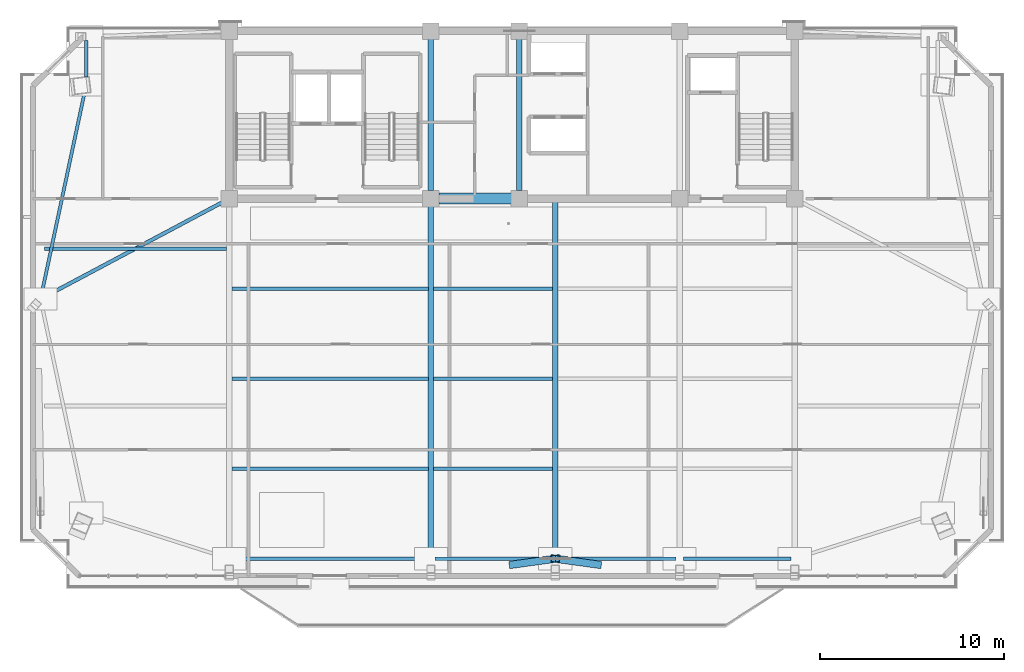
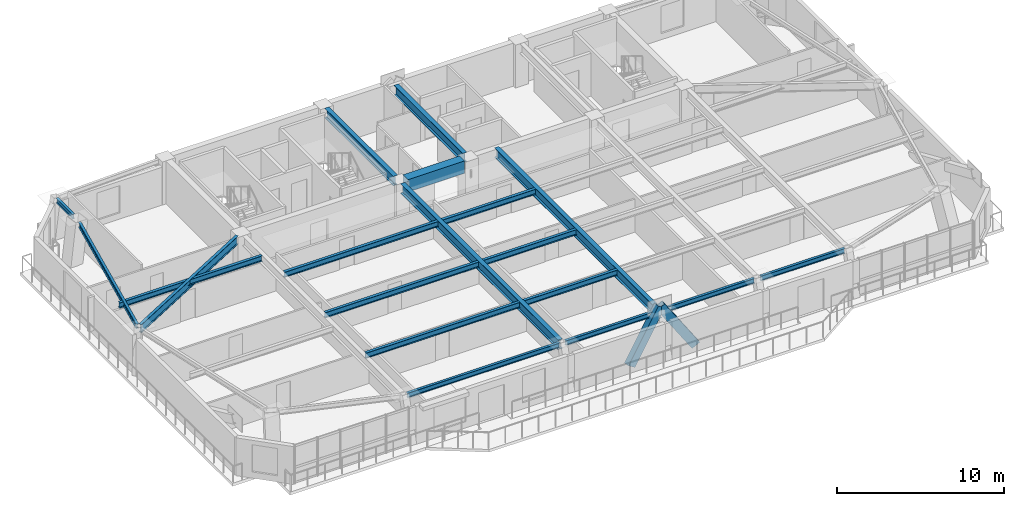
# One storey, part 3 of 15: 19 beams, 2 members.
"""IFC4 building model written with IfcOpenShell, lengths in metres."""

from ifc_helpers import new_model, si_unit, direction, frame, origin, origin_2d, place, context, subcontext, project, spatial, rectangle, hollow_rectangle, i_section, extrude, source, transform, mapped, material, material_profile, profile_set, type_object, element, save


model = new_model("IFC4")

# Units and contexts
model_context = context("Model", 3, precision=1e-05, world=origin(), true_north=direction((0.0, 1.0)))
body_context = subcontext(model_context, "Body", "Model", "MODEL_VIEW")
ifc_project = project(units=[si_unit("LENGTHUNIT", "METRE"), si_unit("AREAUNIT", "SQUARE_METRE"), si_unit("VOLUMEUNIT", "CUBIC_METRE"), si_unit("PLANEANGLEUNIT", "RADIAN"), si_unit("MASSUNIT", "GRAM", prefix="KILO")], contexts=[model_context])

# Site, building, storey
site_placement = place(None, origin())
site = spatial("IfcSite", under=ifc_project, at=site_placement, CompositionType="ELEMENT")
building_placement = place(site_placement, origin())
building = spatial("IfcBuilding", under=site, at=building_placement, Name="Giltprow Tower", CompositionType="ELEMENT")
storey_placement = place(building_placement, frame((0.0, 0.0, 275.699951171875)))
storey = spatial("IfcBuildingStorey", under=building, at=storey_placement, Name="L71", CompositionType="ELEMENT", Elevation=275.699951171875)

# Beams
ifc_material_1 = material(Name="Structural steel Q355B", Category="steel")
ifc_material_profile_1 = material_profile(ifc_material_1, i_section(OverallWidth=0.199951171875, OverallDepth=0.39990234375, WebThickness=0.008056640625, FlangeThickness=0.012939453125, at=origin_2d()), Name="HN 400x200x8x13")
ifc_profile_set_1 = profile_set([ifc_material_profile_1], Name="Structural steel Q355B")
beam_type_1 = type_object("IfcBeamType", Name="BM-JOIST-HN400", PredefinedType="JOIST", material=ifc_profile_set_1)
shared_shape_1 = source(origin(), body_context, "Body", "SweptSolid", [
    extrude(i_section(OverallWidth=0.199951171875, OverallDepth=0.39990234375, WebThickness=0.008056640625, FlangeThickness=0.012939453125, at=origin_2d()), origin(), (0.0, 0.0, 1.0), 10.659912109375),
])
for number, where, z_axis, x_axis, name in (
    (1, (19.9951171875, 22.7939453125, 2.93994140625), (1.0, 0.0, 0.0), (0.0, 1.0, 0.0), "L71 Composite Floor Joist 1-1"),
    (2, (19.9951171875, 27.678955078125, 2.93994140625), (1.0, 0.0, 0.0), (0.0, 1.0, 0.0), "L71 Composite Floor Joist 2-1"),
    (3, (19.9951171875, 32.56494140625, 2.93994140625), (1.0, 0.0, 0.0), (0.0, 1.0, 0.0), "L71 Composite Floor Joist 3-1"),
):
    element("IfcBeam", number, at=place(storey_placement, frame(where, z_axis=z_axis, x_axis=x_axis)), inside=storey, type_object=beam_type_1, Name=name, PredefinedType="JOIST", context=body_context, shape_type="MappedRepresentation", body=[
        mapped(shared_shape_1, transform((0.0, 0.0, 0.0), x_axis=(1.0, 0.0, 0.0), y_axis=(0.0, 1.0, 0.0), z_axis=(0.0, 0.0, 1.0), scale=1.0)),
    ])
shared_shape_2 = source(origin(), body_context, "Body", "SweptSolid", [
    extrude(i_section(OverallWidth=0.199951171875, OverallDepth=0.39990234375, WebThickness=0.008056640625, FlangeThickness=0.012939453125, at=origin_2d()), origin(), (0.0, 0.0, 1.0), 6.4599609375),
])
for number, where, z_axis, x_axis, name in (
    (4, (30.945068359375, 22.7939453125, 2.93994140625), (1.0, 0.0, 0.0), (0.0, 1.0, 0.0), "L71 Composite Floor Joist 1-2"),
    (5, (30.945068359375, 27.678955078125, 2.93994140625), (1.0, 0.0, 0.0), (0.0, 1.0, 0.0), "L71 Composite Floor Joist 2-2"),
    (6, (30.945068359375, 32.56494140625, 2.93994140625), (1.0, 0.0, 0.0), (0.0, 1.0, 0.0), "L71 Composite Floor Joist 3-2"),
):
    element("IfcBeam", number, at=place(storey_placement, frame(where, z_axis=z_axis, x_axis=x_axis)), inside=storey, type_object=beam_type_1, Name=name, PredefinedType="JOIST", context=body_context, shape_type="MappedRepresentation", body=[
        mapped(shared_shape_2, transform((0.0, 0.0, 0.0), x_axis=(1.0, 0.0, 0.0), y_axis=(0.0, 1.0, 0.0), z_axis=(0.0, 0.0, 1.0), scale=1.0)),
    ])
ifc_material_2 = material(Name="Concrete C50", Category="concrete")
ifc_material_profile_2 = material_profile(ifc_material_2, rectangle(XDim=0.60009765625, YDim=0.89990234375, at=origin_2d()), Name="RC 900x600")
ifc_profile_set_2 = profile_set([ifc_material_profile_2], Name="Concrete C50")
beam_type_2 = type_object("IfcBeamType", Name="BM-CPL-RC900", PredefinedType="LINTEL", material=ifc_profile_set_2)
shared_shape_3 = source(origin(), body_context, "Body", "SweptSolid", [
    extrude(rectangle(XDim=0.60009765625, YDim=0.89990234375, at=origin_2d()), origin(), (0.0, 0.0, 1.0), 3.929931640625),
])
beam_1_placement = place(storey_placement, frame((31.235107421875, 37.449951171875, 2.68994140625), z_axis=(1.0, 0.0, 0.0), x_axis=(0.0, 1.0, 0.0)))
element("IfcBeam", 7, at=beam_1_placement, inside=storey, type_object=beam_type_2, Name="L71 Core Coupling Beam CB-1", PredefinedType="LINTEL", context=body_context, shape_type="MappedRepresentation", body=[
    mapped(shared_shape_3, transform((0.0, 0.0, 0.0), x_axis=(1.0, 0.0, 0.0), y_axis=(0.0, 1.0, 0.0), z_axis=(0.0, 0.0, 1.0), scale=1.0)),
])
ifc_material_profile_3 = material_profile(ifc_material_1, i_section(OverallWidth=0.300048828125, OverallDepth=0.699951171875, WebThickness=0.012939453125, FlangeThickness=0.02392578125, at=origin_2d()), Name="HN 700x300x13x24")
ifc_profile_set_3 = profile_set([ifc_material_profile_3], Name="Structural steel Q355B")
beam_type_3 = type_object("IfcBeamType", Name="BM-GIRD-HN700", PredefinedType="BEAM", material=ifc_profile_set_3)
shared_shape_4 = source(origin(), body_context, "Body", "SweptSolid", [
    extrude(i_section(OverallWidth=0.300048828125, OverallDepth=0.699951171875, WebThickness=0.012939453125, FlangeThickness=0.02392578125, at=origin_2d()), origin(), (0.0, 0.0, 1.0), 8.22998046875),
])
for number, where, z_axis, x_axis, name in (
    (8, (30.800048828125, 37.885009765625, 2.7900390625), (0.0, 1.0, 0.0), (-1.0, 0.0, 0.0), "L71 Core Tie Girder M1"),
    (9, (35.60009765625, 37.885009765625, 2.7900390625), (0.0, 1.0, 0.0), (-1.0, 0.0, 0.0), "L71 Core Tie Girder M2"),
):
    element("IfcBeam", number, at=place(storey_placement, frame(where, z_axis=z_axis, x_axis=x_axis)), inside=storey, type_object=beam_type_3, Name=name, PredefinedType="BEAM", context=body_context, shape_type="MappedRepresentation", body=[
        mapped(shared_shape_4, transform((0.0, 0.0, 0.0), x_axis=(1.0, 0.0, 0.0), y_axis=(0.0, 1.0, 0.0), z_axis=(0.0, 0.0, 1.0), scale=1.0)),
    ])
ifc_material_profile_4 = material_profile(ifc_material_1, i_section(OverallWidth=0.175048828125, OverallDepth=0.35009765625, WebThickness=0.007080078125, FlangeThickness=0.010986328125, at=origin_2d()), Name="HN 350x175x7x11")
ifc_profile_set_4 = profile_set([ifc_material_profile_4], Name="Structural steel Q355B")
beam_type_4 = type_object("IfcBeamType", Name="BM-SPAN-HN350", PredefinedType="SPANDREL", material=ifc_profile_set_4)
shared_shape_5 = source(origin(), body_context, "Body", "SweptSolid", [
    extrude(i_section(OverallWidth=0.175048828125, OverallDepth=0.35009765625, WebThickness=0.007080078125, FlangeThickness=0.010986328125, at=origin_2d()), origin(), (0.0, 0.0, 1.0), 10.530029296875),
])
beam_2_placement = place(storey_placement, frame((20.06005859375, 17.907958984375, 2.965087890625), z_axis=(1.0, 0.0, 0.0), x_axis=(0.0, 1.0, 0.0)))
element("IfcBeam", 10, at=beam_2_placement, inside=storey, type_object=beam_type_4, Name="L71 Perimeter Spandrel Beam S1-S2", PredefinedType="SPANDREL", context=body_context, shape_type="MappedRepresentation", body=[
    mapped(shared_shape_5, transform((0.0, 0.0, 0.0), x_axis=(1.0, 0.0, 0.0), y_axis=(0.0, 1.0, 0.0), z_axis=(0.0, 0.0, 1.0), scale=1.0)),
])
shared_shape_6 = source(origin(), body_context, "Body", "SweptSolid", [
    extrude(i_section(OverallWidth=0.175048828125, OverallDepth=0.35009765625, WebThickness=0.007080078125, FlangeThickness=0.010986328125, at=origin_2d()), origin(), (0.0, 0.0, 1.0), 6.330078125),
])
for number, where, z_axis, x_axis, name in (
    (11, (31.010009765625, 17.907958984375, 2.965087890625), (1.0, 0.0, 0.0), (0.0, 1.0, 0.0), "L71 Perimeter Spandrel Beam S2-S_MID"),
    (12, (37.760009765625, 17.907958984375, 2.965087890625), (1.0, 0.0, 0.0), (0.0, 1.0, 0.0), "L71 Perimeter Spandrel Beam S_MID-S3"),
):
    element("IfcBeam", number, at=place(storey_placement, frame(where, z_axis=z_axis, x_axis=x_axis)), inside=storey, type_object=beam_type_4, Name=name, PredefinedType="SPANDREL", context=body_context, shape_type="MappedRepresentation", body=[
        mapped(shared_shape_6, transform((0.0, 0.0, 0.0), x_axis=(1.0, 0.0, 0.0), y_axis=(0.0, 1.0, 0.0), z_axis=(0.0, 0.0, 1.0), scale=1.0)),
    ])
shared_shape_7 = source(origin(), body_context, "Body", "SweptSolid", [
    extrude(i_section(OverallWidth=0.175048828125, OverallDepth=0.35009765625, WebThickness=0.007080078125, FlangeThickness=0.010986328125, at=origin_2d()), origin(), (0.0, 0.0, 1.0), 5.830078125),
])
beam_3_placement = place(storey_placement, frame((44.510009765625, 17.907958984375, 2.965087890625), z_axis=(1.0, 0.0, 0.0), x_axis=(0.0, 1.0, 0.0)))
element("IfcBeam", 13, at=beam_3_placement, inside=storey, type_object=beam_type_4, Name="L71 Perimeter Spandrel Beam S3-S4", PredefinedType="SPANDREL", context=body_context, shape_type="MappedRepresentation", body=[
    mapped(shared_shape_7, transform((0.0, 0.0, 0.0), x_axis=(1.0, 0.0, 0.0), y_axis=(0.0, 1.0, 0.0), z_axis=(0.0, 0.0, 1.0), scale=1.0)),
])
shared_shape_8 = source(origin(), body_context, "Body", "SweptSolid", [
    extrude(i_section(OverallWidth=0.175048828125, OverallDepth=0.35009765625, WebThickness=0.007080078125, FlangeThickness=0.010986328125, at=origin_2d()), origin(), (0.0, 0.0, 1.0), 11.23486328125),
])
beam_4_placement = place(storey_placement, frame((11.9951171875, 43.197021484375, 2.965087890625), z_axis=(-0.208461937022, -0.978030480513, 0.0), x_axis=(0.978030480513, -0.208461937022, 0.0)))
element("IfcBeam", 14, at=beam_4_placement, inside=storey, type_object=beam_type_4, Name="L71 Perimeter Spandrel Beam MC_NW-W_MID", PredefinedType="SPANDREL", context=body_context, shape_type="MappedRepresentation", body=[
    mapped(shared_shape_8, transform((0.0, 0.0, 0.0), x_axis=(1.0, 0.0, 0.0), y_axis=(0.0, 1.0, 0.0), z_axis=(0.0, 0.0, 1.0), scale=1.0)),
])
shared_shape_9 = source(origin(), body_context, "Body", "SweptSolid", [
    extrude(i_section(OverallWidth=0.175048828125, OverallDepth=0.35009765625, WebThickness=0.007080078125, FlangeThickness=0.010986328125, at=origin_2d()), origin(), (0.0, 0.0, 1.0), 1.983154296875),
])
beam_5_placement = place(storey_placement, frame((12.0859375, 46.0400390625, 2.965087890625), z_axis=(0.0, -1.0, 0.0), x_axis=(1.0, 0.0, 0.0)))
element("IfcBeam", 15, at=beam_5_placement, inside=storey, type_object=beam_type_4, Name="L71 Perimeter Spandrel Beam N_W-MC_NW", PredefinedType="SPANDREL", context=body_context, shape_type="MappedRepresentation", body=[
    mapped(shared_shape_9, transform((0.0, 0.0, 0.0), x_axis=(1.0, 0.0, 0.0), y_axis=(0.0, 1.0, 0.0), z_axis=(0.0, 0.0, 1.0), scale=1.0)),
])
shared_shape_10 = source(origin(), body_context, "Body", "SweptSolid", [
    extrude(i_section(OverallWidth=0.300048828125, OverallDepth=0.699951171875, WebThickness=0.012939453125, FlangeThickness=0.02392578125, at=origin_2d()), origin(), (0.0, 0.0, 1.0), 18.89697265625),
])
beam_6_placement = place(storey_placement, frame((30.800048828125, 18.117919921875, 2.7900390625), z_axis=(0.0, 1.0, 0.0), x_axis=(-1.0, 0.0, 0.0)))
element("IfcBeam", 16, at=beam_6_placement, inside=storey, type_object=beam_type_3, Name="L71 Primary Lease Girder S2", PredefinedType="BEAM", context=body_context, shape_type="MappedRepresentation", body=[
    mapped(shared_shape_10, transform((0.0, 0.0, 0.0), x_axis=(1.0, 0.0, 0.0), y_axis=(0.0, 1.0, 0.0), z_axis=(0.0, 0.0, 1.0), scale=1.0)),
])
shared_shape_11 = source(origin(), body_context, "Body", "SweptSolid", [
    extrude(i_section(OverallWidth=0.300048828125, OverallDepth=0.699951171875, WebThickness=0.012939453125, FlangeThickness=0.02392578125, at=origin_2d()), origin(), (0.0, 0.0, 1.0), 19.5419921875),
])
beam_7_placement = place(storey_placement, frame((37.550048828125, 17.907958984375, 2.7900390625), z_axis=(0.0, 1.0, 0.0), x_axis=(-1.0, 0.0, 0.0)))
element("IfcBeam", 17, at=beam_7_placement, inside=storey, type_object=beam_type_3, Name="L71 Central Lease Girder SMID", PredefinedType="BEAM", context=body_context, shape_type="MappedRepresentation", body=[
    mapped(shared_shape_11, transform((0.0, 0.0, 0.0), x_axis=(1.0, 0.0, 0.0), y_axis=(0.0, 1.0, 0.0), z_axis=(0.0, 0.0, 1.0), scale=1.0)),
])
ifc_material_profile_5 = material_profile(ifc_material_1, i_section(OverallWidth=0.199951171875, OverallDepth=0.60009765625, WebThickness=0.010986328125, FlangeThickness=0.01708984375, at=origin_2d()), Name="HN 600x200x11x17")
ifc_profile_set_5 = profile_set([ifc_material_profile_5], Name="Structural steel Q355B")
beam_type_5 = type_object("IfcBeamType", Name="BM-GIRD-HN600", PredefinedType="BEAM", material=ifc_profile_set_5)
shared_shape_12 = source(origin(), body_context, "Body", "SweptSolid", [
    extrude(i_section(OverallWidth=0.199951171875, OverallDepth=0.60009765625, WebThickness=0.010986328125, FlangeThickness=0.01708984375, at=origin_2d()), origin(), (0.0, 0.0, 1.0), 10.95458984375),
])
beam_8_placement = place(storey_placement, frame((9.7939453125, 32.10302734375, 2.840087890625), z_axis=(0.882935883546, 0.469493584138, 0.0), x_axis=(-0.469493584138, 0.882935883546, 0.0)))
element("IfcBeam", 18, at=beam_8_placement, inside=storey, type_object=beam_type_5, Name="L71 West Wing Primary Girder", PredefinedType="BEAM", context=body_context, shape_type="MappedRepresentation", body=[
    mapped(shared_shape_12, transform((0.0, 0.0, 0.0), x_axis=(1.0, 0.0, 0.0), y_axis=(0.0, 1.0, 0.0), z_axis=(0.0, 0.0, 1.0), scale=1.0)),
])
shared_shape_13 = source(origin(), body_context, "Body", "SweptSolid", [
    extrude(i_section(OverallWidth=0.199951171875, OverallDepth=0.39990234375, WebThickness=0.008056640625, FlangeThickness=0.012939453125, at=origin_2d()), origin(), (0.0, 0.0, 1.0), 9.8759765625),
])
beam_9_placement = place(storey_placement, frame((9.8291015625, 34.72705078125, 2.93994140625), z_axis=(1.0, 0.0, 0.0), x_axis=(0.0, 1.0, 0.0)))
element("IfcBeam", 19, at=beam_9_placement, inside=storey, type_object=beam_type_1, Name="L71 West Wing Floor Joist 2", PredefinedType="JOIST", context=body_context, shape_type="MappedRepresentation", body=[
    mapped(shared_shape_13, transform((0.0, 0.0, 0.0), x_axis=(1.0, 0.0, 0.0), y_axis=(0.0, 1.0, 0.0), z_axis=(0.0, 0.0, 1.0), scale=1.0)),
])

# Members
ifc_material_3 = material(Name="Structural steel Q420GJC", Category="steel")
ifc_material_profile_6 = material_profile(ifc_material_3, hollow_rectangle(XDim=0.39990234375, YDim=0.60009765625, WallThickness=0.028076171875, at=origin_2d()), Name="RHS 600x400x28")
ifc_profile_set_6 = profile_set([ifc_material_profile_6], Name="Structural steel Q420GJC")
member_type = type_object("IfcMemberType", Name="MBR-MEGA-RHS600", PredefinedType="BRACE", material=ifc_profile_set_6)
shared_shape_14 = source(origin(), body_context, "Body", "SweptSolid", [
    extrude(hollow_rectangle(XDim=0.39990234375, YDim=0.60009765625, WallThickness=0.028076171875, at=origin_2d()), origin(), (0.0, 0.0, 1.0), 4.089111328125),
])
for number, where, z_axis, x_axis, name in (
    (20, (35.300048828125, 17.596923828125, 0.0), (0.550251554115, 0.076065590271, 0.831527060998), (-0.136935639325, 0.990579946639, 0.0), "L71 Chevron Mega-Brace S-L"),
    (21, (39.800048828125, 17.596923828125, 0.0), (-0.550251554115, 0.076065590271, 0.831527060998), (-0.136935639325, -0.990579946639, 0.0), "L71 Chevron Mega-Brace S-R"),
):
    element("IfcMember", number, at=place(storey_placement, frame(where, z_axis=z_axis, x_axis=x_axis)), inside=storey, type_object=member_type, Name=name, PredefinedType="BRACE", context=body_context, shape_type="MappedRepresentation", body=[
        mapped(shared_shape_14, transform((0.0, 0.0, 0.0), x_axis=(1.0, 0.0, 0.0), y_axis=(0.0, 1.0, 0.0), z_axis=(0.0, 0.0, 1.0), scale=1.0)),
    ])

save(model, "model.ifc")
